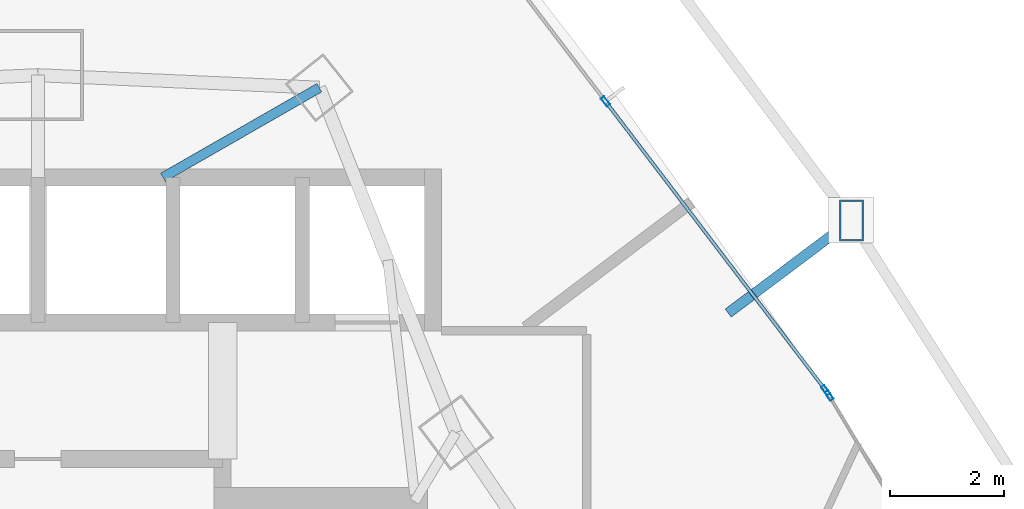
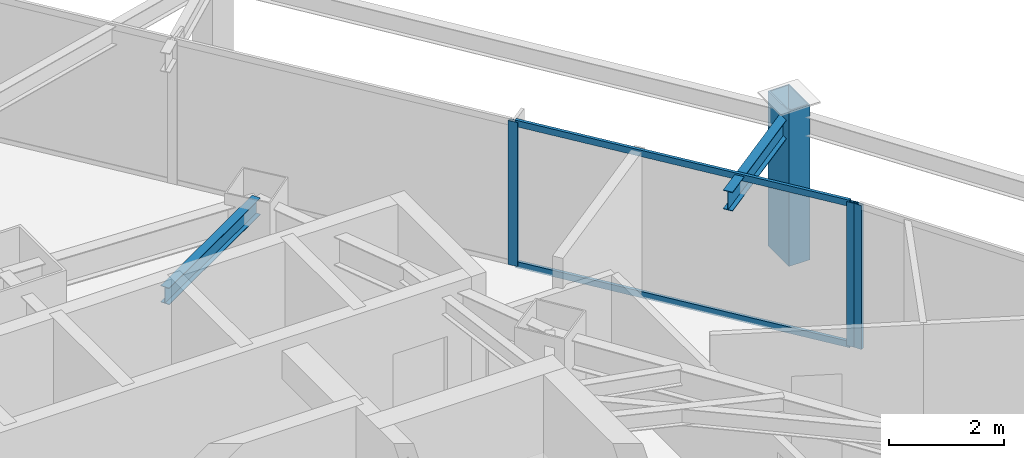
# One storey, part 29 of 38: 6 members, 2 beams, 2 elements without a shape of their own.
"""IFC4 building model written with IfcOpenShell, lengths in metres."""

from ifc_helpers import new_model, si_unit, direction, frame, origin, origin_2d, place, context, subcontext, project, spatial, hollow_rectangle, i_section, extrude, material, layer, layer_set, material_profile, profile_set, type_object, element, aggregate, save


model = new_model("IFC4")

# Units and contexts
model_context = context("Model", 3, precision=1e-05, world=origin(), true_north=direction((0.0, 1.0)))
body_context = subcontext(model_context, "Body", "Model", "MODEL_VIEW")
ifc_project = project(units=[si_unit("LENGTHUNIT", "METRE"), si_unit("AREAUNIT", "SQUARE_METRE"), si_unit("VOLUMEUNIT", "CUBIC_METRE"), si_unit("PLANEANGLEUNIT", "RADIAN"), si_unit("MASSUNIT", "GRAM", prefix="KILO")], contexts=[model_context])

# Site, building, storey
site_placement = place(None, origin())
site = spatial("IfcSite", under=ifc_project, at=site_placement, CompositionType="ELEMENT")
building_placement = place(site_placement, origin())
building = spatial("IfcBuilding", under=site, at=building_placement, Name="Orvanel Arch Residences", CompositionType="ELEMENT")
storey_placement = place(building_placement, frame((0.0, 0.0, 50.0)))
storey = spatial("IfcBuildingStorey", under=building, at=storey_placement, Name="L13", CompositionType="ELEMENT", Elevation=50.0)

# Beam
ifc_material_1 = material(Name="Structural steel AS/NZS 3679.1 Grade 300 (300 MPa)", Category="steel")
ifc_material_profile_1 = material_profile(ifc_material_1, i_section(OverallWidth=0.1708984375, OverallDepth=0.35595703125, WebThickness=0.00732421875, FlangeThickness=0.011474609375, at=origin_2d()), Name="360UB50.7")
ifc_profile_set_1 = profile_set([ifc_material_profile_1], Name="Structural steel AS/NZS 3679.1 Grade 300 (300 MPa)")
beam_type_1 = type_object("IfcBeamType", Name="BJ-360UB", PredefinedType="JOIST", material=ifc_profile_set_1)
beam_1_placement = place(storey_placement, frame((35.199951171875, 39.60009765625, 2.882080078125), z_axis=(0.86736513383, 0.497672306458, 0.0), x_axis=(-0.497672306458, 0.86736513383, 0.0)))
element("IfcBeam", 1, at=beam_1_placement, inside=storey, type_object=beam_type_1, Name="L13 MNE Wing Floor Joist", PredefinedType="JOIST", context=body_context, shape_type="SweptSolid", body=[
    extrude(i_section(OverallWidth=0.1708984375, OverallDepth=0.35595703125, WebThickness=0.00732421875, FlangeThickness=0.011474609375, at=origin_2d()), origin(), (0.0, 0.0, 1.0), 3.17041015625),
])

# Member
ifc_material_2 = material(Name="Structural steel AS/NZS 3678 Grade 350", Category="steel")
ifc_material_profile_2 = material_profile(ifc_material_2, hollow_rectangle(XDim=0.419921875, YDim=0.719970703125, WallThickness=0.02490234375, at=origin_2d()), Name="RHS720x420x25")
ifc_profile_set_2 = profile_set([ifc_material_profile_2], Name="Structural steel AS/NZS 3678 Grade 350")
member_type_1 = type_object("IfcMemberType", Name="CH-720RHS-EXT", PredefinedType="CHORD", material=ifc_profile_set_2)
member_1_placement = place(storey_placement, frame((47.30810546875, 38.843017578125, 0.0), z_axis=(0.0, 0.0, 1.0), x_axis=(1.0, 0.0, 0.0)))
element("IfcMember", 2, at=member_1_placement, inside=storey, type_object=member_type_1, Name="L13 Outer Perimeter Frame Post 11", PredefinedType="CHORD", context=body_context, shape_type="SweptSolid", body=[
    extrude(hollow_rectangle(XDim=0.419921875, YDim=0.719970703125, WallThickness=0.02490234375, at=origin_2d()), origin(), (0.0, 0.0, 1.0), 3.300048828125),
])

# Curtain wall, member
ifc_material_3 = material(Name="Bronze-anodised aluminium AA6063-T6", Category="aluminium")
ifc_layer = layer(ifc_material_3, 0.179931640625)
ifc_layer_set = layer_set([ifc_layer], Name="Bronze-anodised aluminium AA6063-T6")
curtain_wall_type = type_object("IfcCurtainWallType", Name="CW2-LOW-SYS", PredefinedType="NOTDEFINED", material=ifc_layer_set)
curtain_wall_1_placement = place(storey_placement, origin())
curtain_wall_1 = element("IfcCurtainWall", 3, at=curtain_wall_1_placement, inside=storey, type_object=curtain_wall_type, Name="L13 CW2-LOW-SYS Unitised Curtain Wall", PredefinedType="NOTDEFINED")
ifc_material_profile_3 = material_profile(ifc_material_3, hollow_rectangle(XDim=0.070068359375, YDim=0.179931640625, WallThickness=0.00439453125, at=origin_2d()), Name="ALU180x70x4.5")
ifc_profile_set_3 = profile_set([ifc_material_profile_3], Name="Bronze-anodised aluminium AA6063-T6")
member_type_2 = type_object("IfcMemberType", Name="MUL-180x70", PredefinedType="MULLION", material=ifc_profile_set_3)
member_2_placement = place(storey_placement, frame((46.916015625, 35.764892578125, 0.0), z_axis=(0.0, 0.0, 1.0), x_axis=(-0.857569020053, -0.514368910263, 0.0)))
member_2 = element("IfcMember", 4, at=member_2_placement, type_object=member_type_2, Name="CW-S2 mullion 3", PredefinedType="MULLION", context=body_context, shape_type="SweptSolid", body=[
    extrude(hollow_rectangle(XDim=0.070068359375, YDim=0.179931640625, WallThickness=0.00439453125, at=origin_2d()), origin(), (0.0, 0.0, 1.0), 3.06005859375),
])
aggregate(curtain_wall_1, [member_2])

# Curtain wall, members
curtain_wall_2_placement = place(storey_placement, origin())
curtain_wall_2 = element("IfcCurtainWall", 5, at=curtain_wall_2_placement, inside=storey, type_object=curtain_wall_type, Name="L13 CW2-LOW-SYS Unitised Curtain Wall", PredefinedType="NOTDEFINED")
member_3_placement = place(storey_placement, frame((46.854736328125, 35.85595703125, 0.0), z_axis=(0.0, 0.0, 1.0), x_axis=(-0.795336402585, -0.606168299009, 0.0)))
member_3 = element("IfcMember", 6, at=member_3_placement, type_object=member_type_2, Name="CW-S2 mullion 1", PredefinedType="MULLION", context=body_context, shape_type="SweptSolid", body=[
    extrude(hollow_rectangle(XDim=0.070068359375, YDim=0.179931640625, WallThickness=0.00439453125, at=origin_2d()), origin(), (0.0, 0.0, 1.0), 3.06005859375),
])
member_4_placement = place(storey_placement, frame((42.982666015625, 40.936279296875, 0.0), z_axis=(0.0, 0.0, 1.0), x_axis=(-0.795336402585, -0.606168299009, 0.0)))
member_4 = element("IfcMember", 7, at=member_4_placement, type_object=member_type_2, Name="CW-S2 mullion 2", PredefinedType="MULLION", context=body_context, shape_type="SweptSolid", body=[
    extrude(hollow_rectangle(XDim=0.070068359375, YDim=0.179931640625, WallThickness=0.00439453125, at=origin_2d()), origin(), (0.0, 0.0, 1.0), 3.06005859375),
])

# Beam
ifc_material_profile_4 = material_profile(ifc_material_1, i_section(OverallWidth=0.177978515625, OverallDepth=0.406005859375, WebThickness=0.0078125, FlangeThickness=0.0126953125, at=origin_2d()), Name="410UB59.7")
ifc_profile_set_4 = profile_set([ifc_material_profile_4], Name="Structural steel AS/NZS 3679.1 Grade 300 (300 MPa)")
beam_type_2 = type_object("IfcBeamType", Name="OB-410UB-EXT", PredefinedType="SPANDREL", material=ifc_profile_set_4)
beam_2_placement = place(storey_placement, frame((45.139892578125, 37.215087890625, 2.85693359375), z_axis=(0.799686535517, 0.600417725349, 0.0), x_axis=(-0.600417725349, 0.799686535517, 0.0)))
element("IfcBeam", 8, at=beam_2_placement, inside=storey, type_object=beam_type_2, Name="L13 Outer Frame Radial Tie Beam 11", PredefinedType="SPANDREL", context=body_context, shape_type="SweptSolid", body=[
    extrude(i_section(OverallWidth=0.177978515625, OverallDepth=0.406005859375, WebThickness=0.0078125, FlangeThickness=0.0126953125, at=origin_2d()), origin(), (0.0, 0.0, 1.0), 2.71142578125),
])

# Member
ifc_material_profile_5 = material_profile(ifc_material_3, hollow_rectangle(XDim=0.06005859375, YDim=0.135009765625, WallThickness=0.00390625, at=origin_2d()), Name="ALU135x60x4")
ifc_profile_set_5 = profile_set([ifc_material_profile_5], Name="Bronze-anodised aluminium AA6063-T6")
member_type_3 = type_object("IfcMemberType", Name="TRN-135x60", PredefinedType="USERDEFINED", material=ifc_profile_set_5)
member_5_placement = place(storey_placement, frame((46.83349609375, 35.8837890625, 0.030029296875), z_axis=(-0.606171281812, 0.795334129222, 0.0), x_axis=(-0.795334129222, -0.606171281812, 0.0)))
member_5 = element("IfcMember", 9, at=member_5_placement, type_object=member_type_3, Name="CW-S2 transom 1.1", ObjectType="TRANSOM", PredefinedType="USERDEFINED", context=body_context, shape_type="SweptSolid", body=[
    extrude(hollow_rectangle(XDim=0.06005859375, YDim=0.135009765625, WallThickness=0.00390625, at=origin_2d()), origin(), (0.0, 0.0, 1.0), 6.317626953125),
])

member_6_placement = place(storey_placement, frame((46.83349609375, 35.8837890625, 3.030029296875), z_axis=(-0.606171281812, 0.795334129222, 0.0), x_axis=(-0.795334129222, -0.606171281812, 0.0)))
member_6 = element("IfcMember", 10, at=member_6_placement, type_object=member_type_3, Name="CW-S2 transom 1.2", ObjectType="TRANSOM", PredefinedType="USERDEFINED", context=body_context, shape_type="SweptSolid", body=[
    extrude(hollow_rectangle(XDim=0.06005859375, YDim=0.135009765625, WallThickness=0.00390625, at=origin_2d()), origin(), (0.0, 0.0, 1.0), 6.317626953125),
])

aggregate(curtain_wall_2, [member_3, member_4, member_5, member_6])

save(model, "model.ifc")
